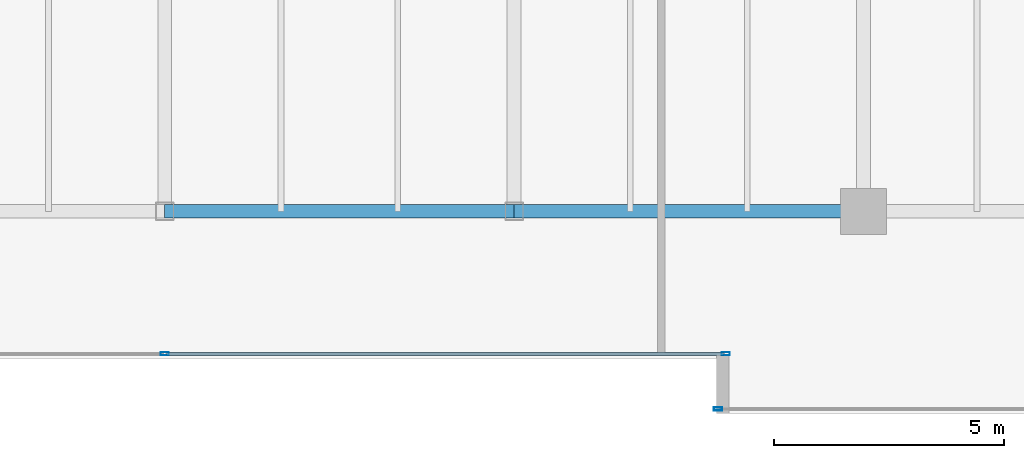
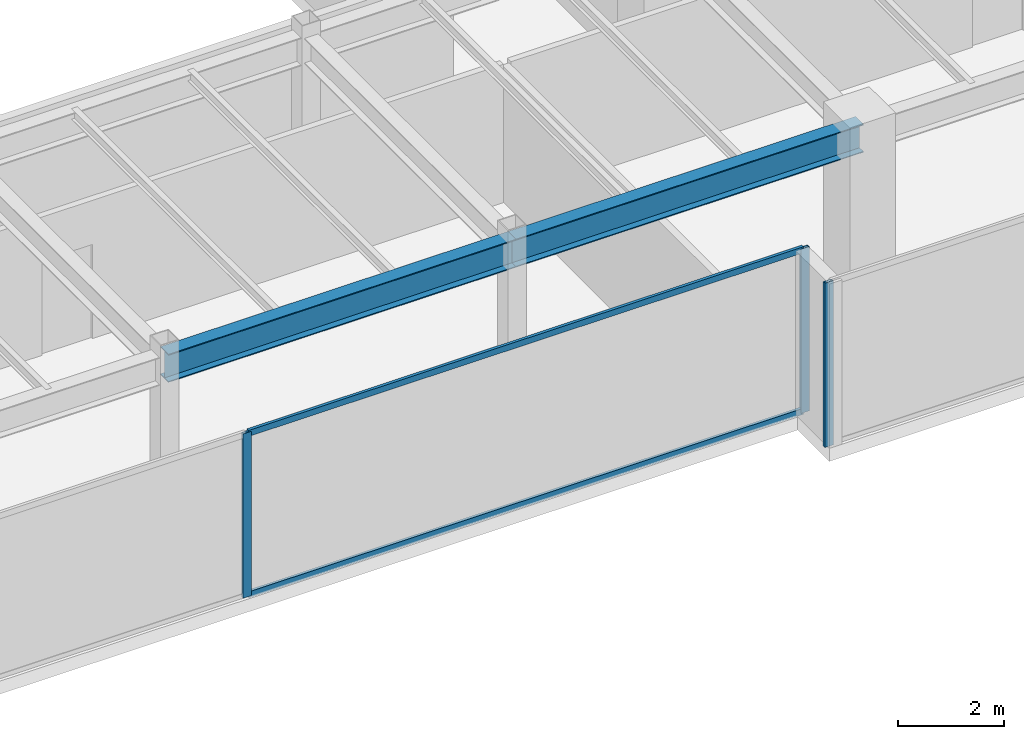
# One storey, part 11 of 33: 5 members, 2 beams, 2 elements without a shape of their own.
"""IFC4 building model written with IfcOpenShell, lengths in metres."""

from ifc_helpers import new_model, si_unit, direction, frame, origin, origin_2d, place, context, subcontext, project, spatial, hollow_rectangle, i_section, extrude, source, transform, mapped, material, layer, layer_set, material_profile, profile_set, type_object, type_shapes, element, aggregate, save


model = new_model("IFC4")

# Units and contexts
model_context = context("Model", 3, precision=1e-05, world=origin(), true_north=direction((0.0, 1.0)))
body_context = subcontext(model_context, "Body", "Model", "MODEL_VIEW")
ifc_project = project(units=[si_unit("LENGTHUNIT", "METRE"), si_unit("AREAUNIT", "SQUARE_METRE"), si_unit("VOLUMEUNIT", "CUBIC_METRE"), si_unit("PLANEANGLEUNIT", "RADIAN"), si_unit("MASSUNIT", "GRAM", prefix="KILO")], contexts=[model_context])

# Site, building, storey
site_placement = place(None, origin())
site = spatial("IfcSite", under=ifc_project, at=site_placement, CompositionType="ELEMENT")
building_placement = place(site_placement, origin())
building = spatial("IfcBuilding", under=site, at=building_placement, Name="Haelvirn Gate Laboratories", CompositionType="ELEMENT")
storey_placement = place(building_placement, frame((0.0, 0.0, 250.60009765625)))
storey = spatial("IfcBuildingStorey", under=building, at=storey_placement, Name="L60", CompositionType="ELEMENT", Elevation=250.60009765625)

# Beams
ifc_material_1 = material(Name="Steel SM355", Category="steel")
ifc_material_profile_1 = material_profile(ifc_material_1, i_section(OverallWidth=0.300048828125, OverallDepth=0.64990234375, WebThickness=0.012939453125, FlangeThickness=0.02197265625, at=origin_2d()), Name="H-650x300x13x22")
ifc_profile_set_1 = profile_set([ifc_material_profile_1], Name="Steel SM355")
beam_type = type_object("IfcBeamType", Name="BM-G-650", PredefinedType="BEAM", material=ifc_profile_set_1)
shared_shape_1 = source(origin(), body_context, "Body", "SweptSolid", [
    extrude(i_section(OverallWidth=0.300048828125, OverallDepth=0.64990234375, WebThickness=0.012939453125, FlangeThickness=0.02197265625, at=origin_2d()), origin(), (0.0, 0.0, 1.0), 7.60009765625),
])
type_shapes(beam_type, [shared_shape_1])
for number, where, z_axis, x_axis, name in (
    (1, (37.39990234375, 7.0, 3.474853515625), (1.0, 0.0, 0.0), (0.0, 1.0, 0.0), "L60 Primary Girder Y7.0 (37.4-45.0)"),
    (2, (45.0, 7.0, 3.474853515625), (1.0, 0.0, 0.0), (0.0, 1.0, 0.0), "L60 Primary Girder Y7.0 (45.0-52.6)"),
):
    element("IfcBeam", number, at=place(storey_placement, frame(where, z_axis=z_axis, x_axis=x_axis)), inside=storey, type_object=beam_type, Name=name, PredefinedType="BEAM", context=body_context, shape_type="MappedRepresentation", body=[
        mapped(shared_shape_1, transform((0.0, 0.0, 0.0), scale=1.0)),
    ])

# Curtain wall, members
ifc_material_2 = material(Name="Anodised bronze unitised aluminium & triple low-E glass", Category="aluminium")
ifc_layer = layer(ifc_material_2, 0.176025390625, Name="CW-SYS-4")
ifc_layer_set = layer_set([ifc_layer], Name="Anodised bronze unitised aluminium & triple low-E glass")
curtain_wall_type = type_object("IfcCurtainWallType", Name="CW-SYS-4", PredefinedType="NOTDEFINED", material=ifc_layer_set)
curtain_wall_1_placement = place(storey_placement, origin())
curtain_wall_1 = element("IfcCurtainWall", 3, at=curtain_wall_1_placement, inside=storey, type_object=curtain_wall_type, Name="L60 Unitised Curtain Wall CW-L60-P0-E02-1", PredefinedType="NOTDEFINED")
ifc_material_3 = material(Name="Extruded aluminium 6063-T6 (anodised bronze)", Category="aluminium")
ifc_material_profile_2 = material_profile(ifc_material_3, hollow_rectangle(XDim=0.06494140625, YDim=0.139892578125, WallThickness=0.00390625, at=origin_2d()), Name="CWT-140x65x4")
ifc_profile_set_2 = profile_set([ifc_material_profile_2], Name="Extruded aluminium 6063-T6 (anodised bronze)")
member_type_1 = type_object("IfcMemberType", Name="CWT-T140", PredefinedType="USERDEFINED", material=ifc_profile_set_2)
shared_shape_2 = source(origin(), body_context, "Body", "SweptSolid", [
    extrude(hollow_rectangle(XDim=0.06494140625, YDim=0.139892578125, WallThickness=0.00390625, at=origin_2d()), origin(), (0.0, 0.0, 1.0), 12.135009765625),
])
type_shapes(member_type_1, [shared_shape_2])
member_1_placement = place(storey_placement, frame((37.43505859375, 3.89990234375, 0.032470703125), z_axis=(1.0, 0.0, 0.0), x_axis=(0.0, 1.0, 0.0)))
member_1 = element("IfcMember", 4, at=member_1_placement, type_object=member_type_1, Name="CW4 transom 2.1", ObjectType="TRANSOM", PredefinedType="USERDEFINED", context=body_context, shape_type="MappedRepresentation", body=[
    mapped(shared_shape_2, transform((0.0, 0.0, 0.0), scale=1.0)),
])
member_2_placement = place(storey_placement, frame((37.43505859375, 3.89990234375, 3.767333984375), z_axis=(1.0, 0.0, 0.0), x_axis=(0.0, 1.0, 0.0)))
member_2 = element("IfcMember", 5, at=member_2_placement, type_object=member_type_1, Name="CW4 transom 2.2", ObjectType="TRANSOM", PredefinedType="USERDEFINED", context=body_context, shape_type="MappedRepresentation", body=[
    mapped(shared_shape_2, transform((0.0, 0.0, 0.0), scale=1.0)),
])
ifc_material_profile_3 = material_profile(ifc_material_3, hollow_rectangle(XDim=0.070068359375, YDim=0.179931640625, WallThickness=0.0048828125, at=origin_2d()), Name="CWM-180x70x5")
ifc_profile_set_3 = profile_set([ifc_material_profile_3], Name="Extruded aluminium 6063-T6 (anodised bronze)")
member_type_2 = type_object("IfcMemberType", Name="CWM-T180", PredefinedType="MULLION", material=ifc_profile_set_3)
shared_shape_3 = source(origin(), body_context, "Body", "SweptSolid", [
    extrude(hollow_rectangle(XDim=0.070068359375, YDim=0.179931640625, WallThickness=0.0048828125, at=origin_2d()), origin(), (0.0, 0.0, 1.0), 3.7998046875),
])
type_shapes(member_type_2, [shared_shape_3])
member_3_placement = place(storey_placement, frame((37.39990234375, 3.89990234375, 0.0), z_axis=(0.0, 0.0, 1.0), x_axis=(0.0, 1.0, 0.0)))
member_3 = element("IfcMember", 6, at=member_3_placement, type_object=member_type_2, Name="CW4 mullion 2", PredefinedType="MULLION", context=body_context, shape_type="MappedRepresentation", body=[
    mapped(shared_shape_3, transform((0.0, 0.0, 0.0), scale=1.0)),
])
member_4_placement = place(storey_placement, frame((49.60498046875, 3.89990234375, 0.0), z_axis=(0.0, 0.0, 1.0), x_axis=(0.0, 1.0, 0.0)))
member_4 = element("IfcMember", 7, at=member_4_placement, type_object=member_type_2, Name="CW4 mullion 3", PredefinedType="MULLION", context=body_context, shape_type="MappedRepresentation", body=[
    mapped(shared_shape_3, transform((0.0, 0.0, 0.0), scale=1.0)),
])
aggregate(curtain_wall_1, [member_3, member_4, member_1, member_2])

# Curtain wall, member
curtain_wall_2_placement = place(storey_placement, origin())
curtain_wall_2 = element("IfcCurtainWall", 8, at=curtain_wall_2_placement, inside=storey, type_object=curtain_wall_type, Name="L60 Unitised Curtain Wall CW-L60-P0-E04-1", PredefinedType="NOTDEFINED")
member_5_placement = place(storey_placement, frame((49.43505859375, 2.699951171875, 0.0), z_axis=(0.0, 0.0, 1.0), x_axis=(0.0, 1.0, 0.0)))
member_5 = element("IfcMember", 9, at=member_5_placement, type_object=member_type_2, Name="CW4 mullion 1", PredefinedType="MULLION", context=body_context, shape_type="MappedRepresentation", body=[
    mapped(shared_shape_3, transform((0.0, 0.0, 0.0), scale=1.0)),
])
aggregate(curtain_wall_2, [member_5])

save(model, "model.ifc")
